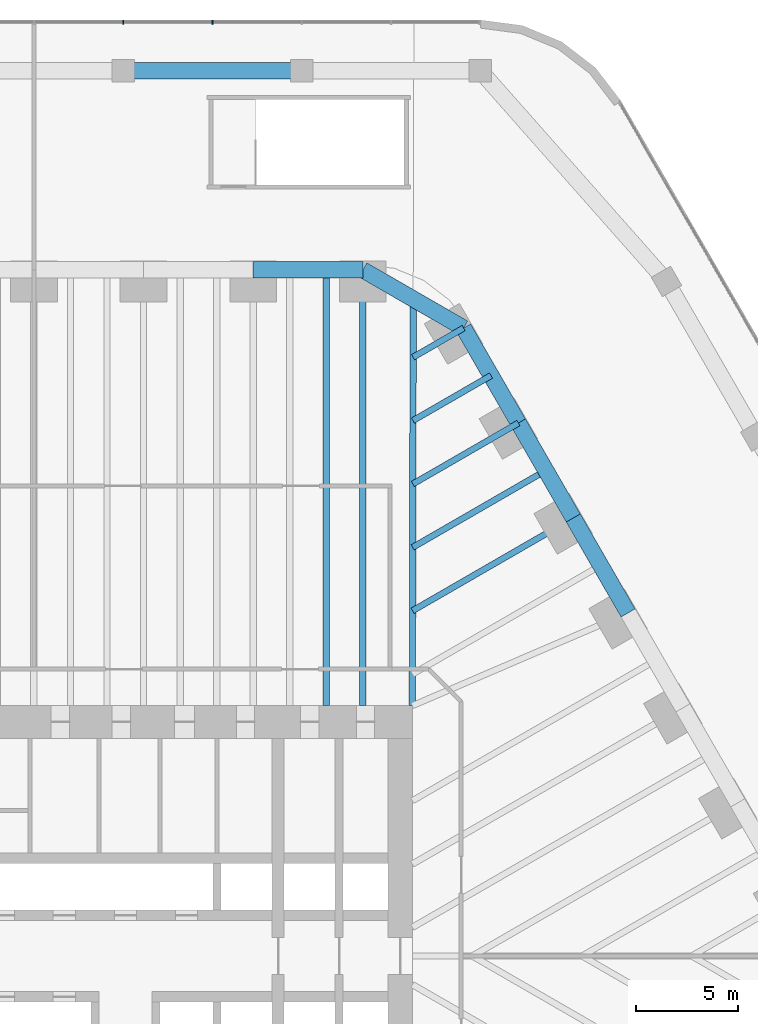
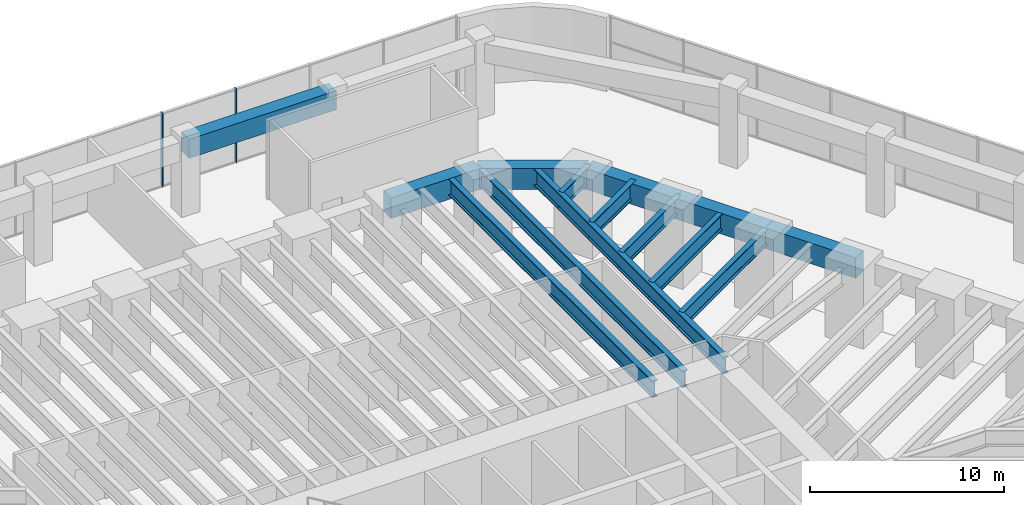
# One storey, part 20 of 31: 14 beams, 2 members, 1 element without a shape of its own.
"""IFC4 building model written with IfcOpenShell, lengths in metres."""

from ifc_helpers import new_model, si_unit, direction, frame, origin, origin_2d, place, context, subcontext, project, spatial, rectangle, i_section, extrude, material, material_profile, profile_set, type_object, element, aggregate, save


model = new_model("IFC4")

# Units and contexts
model_context = context("Model", 3, precision=1e-05, world=origin(), true_north=direction((0.0, 1.0)))
body_context = subcontext(model_context, "Body", "Model", "MODEL_VIEW")
ifc_project = project(units=[si_unit("LENGTHUNIT", "METRE"), si_unit("AREAUNIT", "SQUARE_METRE"), si_unit("VOLUMEUNIT", "CUBIC_METRE"), si_unit("PLANEANGLEUNIT", "RADIAN"), si_unit("MASSUNIT", "GRAM", prefix="KILO")], contexts=[model_context])

# Site, building, storey
site_placement = place(None, origin())
site = spatial("IfcSite", under=ifc_project, at=site_placement, CompositionType="ELEMENT")
building_placement = place(site_placement, origin())
building = spatial("IfcBuilding", under=site, at=building_placement, Name="Tarfa Lantern Tower", CompositionType="ELEMENT")
storey_placement = place(building_placement, frame((0.0, 0.0, 18.5)))
storey = spatial("IfcBuildingStorey", under=building, at=storey_placement, Name="L03", CompositionType="ELEMENT", Elevation=18.5)

# Curtain wall, members
ifc_material_1 = material(Name="Aluminium framed curtain wall", Category="aluminium")
curtain_wall_type = type_object("IfcCurtainWallType", Name="CW7 PODIUM GLAZING 4650", PredefinedType="USERDEFINED", material=ifc_material_1)
curtain_wall_placement = place(storey_placement, origin())
curtain_wall = element("IfcCurtainWall", 1, at=curtain_wall_placement, inside=storey, type_object=curtain_wall_type, Name="CW7 N L03", ObjectType="CURTAIN WALL", PredefinedType="USERDEFINED")
ifc_material_2 = material(Name="Aluminium mullion", Category="aluminium")
ifc_material_profile_1 = material_profile(ifc_material_2, rectangle(XDim=0.06494140625, YDim=0.199951171875, at=origin_2d()), Name="AL MULLION 65x200")
ifc_profile_set_1 = profile_set([ifc_material_profile_1], Name="Aluminium mullion")
member_type = type_object("IfcMemberType", Name="CWM1 MULLION 65x200", PredefinedType="MULLION", material=ifc_profile_set_1)
member_1_placement = place(storey_placement, frame((8.775634765625, 45.89990234375, 0.0), z_axis=(0.0, 0.0, 1.0), x_axis=(1.0, 0.0, 0.0)))
member_1 = element("IfcMember", 2, at=member_1_placement, type_object=member_type, Name="CW7 mullion 4", PredefinedType="MULLION", context=body_context, shape_type="SweptSolid", body=[
    extrude(rectangle(XDim=0.06494140625, YDim=0.199951171875, at=origin_2d()), origin(), (0.0, 0.0, 1.0), 4.64990234375),
])
member_2_placement = place(storey_placement, frame((4.387939453125, 45.89990234375, 0.0), z_axis=(0.0, 0.0, 1.0), x_axis=(1.0, 0.0, 0.0)))
member_2 = element("IfcMember", 3, at=member_2_placement, type_object=member_type, Name="CW7 mullion 5", PredefinedType="MULLION", context=body_context, shape_type="SweptSolid", body=[
    extrude(rectangle(XDim=0.06494140625, YDim=0.199951171875, at=origin_2d()), origin(), (0.0, 0.0, 1.0), 4.64990234375),
])
aggregate(curtain_wall, [member_1, member_2])

# Beams
ifc_material_3 = material(Name="Concrete C80/95", Category="concrete")
ifc_material_profile_2 = material_profile(ifc_material_3, rectangle(XDim=0.800048828125, YDim=1.300048828125, at=origin_2d()), Name="RC 800x1300")
ifc_profile_set_2 = profile_set([ifc_material_profile_2], Name="Concrete C80/95")
beam_type_1 = type_object("IfcBeamType", Name="EB1 RC 800x1300", PredefinedType="SPANDREL", material=ifc_profile_set_2)
beam_1_placement = place(storey_placement, frame((29.202392578125, 16.860107421875, 4.0), z_axis=(-0.500017906299, 0.866015065331, 0.0), x_axis=(-0.866015065331, -0.500017906299, 0.0)))
element("IfcBeam", 4, at=beam_1_placement, inside=storey, type_object=beam_type_1, Name="Edge beam NE3", PredefinedType="SPANDREL", context=body_context, shape_type="SweptSolid", body=[
    extrude(rectangle(XDim=0.800048828125, YDim=1.300048828125, at=origin_2d()), origin(), (0.0, 0.0, 1.0), 5.388427734375),
])
for number, where, z_axis, x_axis, name in (
    (5, (26.508056640625, 21.526611328125, 4.0), (-0.499998287579, 0.866026392449, 0.0), (-0.866026392449, -0.499998287579, 0.0), "Edge beam NE4"),
    (6, (23.813720703125, 26.193359375, 4.0), (-0.499998287579, 0.866026392449, 0.0), (-0.866026392449, -0.499998287579, 0.0), "Edge beam NE5"),
):
    element("IfcBeam", number, at=place(storey_placement, frame(where, z_axis=z_axis, x_axis=x_axis)), inside=storey, type_object=beam_type_1, Name=name, PredefinedType="SPANDREL", context=body_context, shape_type="SweptSolid", body=[
        extrude(rectangle(XDim=0.800048828125, YDim=1.300048828125, at=origin_2d()), origin(), (0.0, 0.0, 1.0), 5.388671875),
    ])
beam_2_placement = place(storey_placement, frame((21.119384765625, 30.860107421875, 4.0), z_axis=(-0.866033479681, 0.499986011877, 0.0), x_axis=(-0.499986011877, -0.866033479681, 0.0)))
element("IfcBeam", 7, at=beam_2_placement, inside=storey, type_object=beam_type_1, Name="Edge beam NE6", PredefinedType="SPANDREL", context=body_context, shape_type="SweptSolid", body=[
    extrude(rectangle(XDim=0.800048828125, YDim=1.300048828125, at=origin_2d()), origin(), (0.0, 0.0, 1.0), 5.719970703125),
])
beam_3_placement = place(storey_placement, frame((16.165771484375, 33.719970703125, 4.0), z_axis=(-1.0, 0.0, 0.0), x_axis=(0.0, -1.0, 0.0)))
element("IfcBeam", 8, at=beam_3_placement, inside=storey, type_object=beam_type_1, Name="Edge beam N0", PredefinedType="SPANDREL", context=body_context, shape_type="SweptSolid", body=[
    extrude(rectangle(XDim=0.800048828125, YDim=1.300048828125, at=origin_2d()), origin(), (0.0, 0.0, 1.0), 5.388671875),
])
ifc_material_profile_3 = material_profile(ifc_material_3, rectangle(XDim=0.800048828125, YDim=1.199951171875, at=origin_2d()), Name="RC 800x1200")
ifc_profile_set_3 = profile_set([ifc_material_profile_3], Name="Concrete C80/95")
beam_type_2 = type_object("IfcBeamType", Name="PB2 RC 800x1200", PredefinedType="BEAM", material=ifc_profile_set_3)
beam_4_placement = place(storey_placement, frame((13.16357421875, 43.5, 4.050048828125), z_axis=(-1.0, 0.0, 0.0), x_axis=(0.0, -1.0, 0.0)))
element("IfcBeam", 9, at=beam_4_placement, inside=storey, type_object=beam_type_2, Name="Podium ring beam N1", PredefinedType="BEAM", context=body_context, shape_type="SweptSolid", body=[
    extrude(rectangle(XDim=0.800048828125, YDim=1.199951171875, at=origin_2d()), origin(), (0.0, 0.0, 1.0), 8.775634765625),
])
ifc_material_4 = material(Name="Steel S460M", Category="steel")
ifc_material_profile_4 = material_profile(ifc_material_4, i_section(OverallWidth=0.302001953125, OverallDepth=1.008056640625, WebThickness=0.02099609375, FlangeThickness=0.0400390625, FilletRadius=0.030029296875, at=origin_2d()), Name="UB1016x305x349")
ifc_profile_set_4 = profile_set([ifc_material_profile_4], Name="Steel S460M")
beam_type_3 = type_object("IfcBeamType", Name="UB1016x305x349", PredefinedType="BEAM", material=ifc_profile_set_4)
beam_5_placement = place(storey_placement, frame((26.508056640625, 21.526611328125, 4.14599609375), z_axis=(-0.866035355799, -0.49998276221, 0.0), x_axis=(0.49998276221, -0.866035355799, 0.0)))
element("IfcBeam", 10, at=beam_5_placement, inside=storey, type_object=beam_type_3, Name="Floor beam NE4", PredefinedType="BEAM", context=body_context, shape_type="SweptSolid", body=[
    extrude(i_section(OverallWidth=0.302001953125, OverallDepth=1.008056640625, WebThickness=0.02099609375, FlangeThickness=0.0400390625, FilletRadius=0.030029296875, at=origin_2d()), origin(), (0.0, 0.0, 1.0), 9.119873046875),
])
beam_6_placement = place(storey_placement, frame((23.813720703125, 26.193359375, 4.14599609375), z_axis=(-0.866015997389, -0.500016292001, 0.0), x_axis=(0.500016292001, -0.866015997389, 0.0)))
element("IfcBeam", 11, at=beam_6_placement, inside=storey, type_object=beam_type_3, Name="Floor beam NE5", PredefinedType="BEAM", context=body_context, shape_type="SweptSolid", body=[
    extrude(i_section(OverallWidth=0.302001953125, OverallDepth=1.008056640625, WebThickness=0.02099609375, FlangeThickness=0.0400390625, FilletRadius=0.030029296875, at=origin_2d()), origin(), (0.0, 0.0, 1.0), 5.993408203125),
])
beam_7_placement = place(storey_placement, frame((21.119384765625, 30.860107421875, 4.14599609375), z_axis=(-0.866012580594, -0.500022209759, 0.0), x_axis=(0.500022209759, -0.866012580594, 0.0)))
element("IfcBeam", 12, at=beam_7_placement, inside=storey, type_object=beam_type_3, Name="Floor beam NE6", PredefinedType="BEAM", context=body_context, shape_type="SweptSolid", body=[
    extrude(i_section(OverallWidth=0.302001953125, OverallDepth=1.008056640625, WebThickness=0.02099609375, FlangeThickness=0.0400390625, FilletRadius=0.030029296875, at=origin_2d()), origin(), (0.0, 0.0, 1.0), 2.866943359375),
])
beam_8_placement = place(storey_placement, frame((25.160888671875, 23.860107421875, 4.14599609375), z_axis=(-0.866009650502, -0.500027284493, 0.0), x_axis=(0.500027284493, -0.866009650502, 0.0)))
element("IfcBeam", 13, at=beam_8_placement, inside=storey, type_object=beam_type_3, Name="Floor beam NE4M", PredefinedType="BEAM", context=body_context, shape_type="SweptSolid", body=[
    extrude(i_section(OverallWidth=0.302001953125, OverallDepth=1.008056640625, WebThickness=0.02099609375, FlangeThickness=0.0400390625, FilletRadius=0.030029296875, at=origin_2d()), origin(), (0.0, 0.0, 1.0), 7.556640625),
])
beam_9_placement = place(storey_placement, frame((22.466552734375, 28.526611328125, 4.14599609375), z_axis=(-0.866026823135, -0.499997541604, 0.0), x_axis=(0.499997541604, -0.866026823135, 0.0)))
element("IfcBeam", 14, at=beam_9_placement, inside=storey, type_object=beam_type_3, Name="Floor beam NE5M", PredefinedType="BEAM", context=body_context, shape_type="SweptSolid", body=[
    extrude(i_section(OverallWidth=0.302001953125, OverallDepth=1.008056640625, WebThickness=0.02099609375, FlangeThickness=0.0400390625, FilletRadius=0.030029296875, at=origin_2d()), origin(), (0.0, 0.0, 1.0), 4.43017578125),
])
ifc_material_profile_5 = material_profile(ifc_material_4, i_section(OverallWidth=0.314208984375, OverallDepth=1.055908203125, WebThickness=0.035888671875, FlangeThickness=0.06396484375, FilletRadius=0.030029296875, at=origin_2d()), Name="UB1016x305x584")
ifc_profile_set_5 = profile_set([ifc_material_profile_5], Name="Steel S460M")
beam_type_4 = type_object("IfcBeamType", Name="UB1016x305x584", PredefinedType="BEAM", material=ifc_profile_set_5)
beam_10_placement = place(storey_placement, frame((18.60009765625, 12.300048828125, 4.1220703125), z_axis=(0.00212508222, 0.99999774201, 0.0), x_axis=(-0.99999774201, 0.00212508222, 0.0)))
element("IfcBeam", 15, at=beam_10_placement, inside=storey, type_object=beam_type_4, Name="Hip girder NE", PredefinedType="BEAM", context=body_context, shape_type="SweptSolid", body=[
    extrude(i_section(OverallWidth=0.314208984375, OverallDepth=1.055908203125, WebThickness=0.035888671875, FlangeThickness=0.06396484375, FilletRadius=0.030029296875, at=origin_2d()), origin(), (0.0, 0.0, 1.0), 19.989990234375),
])
for number, where, z_axis, x_axis, name in (
    (16, (16.165771484375, 33.719970703125, 4.1220703125), (0.0, -1.0, 0.0), (1.0, 0.0, 0.0), "Floor beam N0"),
    (17, (14.36962890625, 33.719970703125, 4.1220703125), (0.0, -1.0, 0.0), (1.0, 0.0, 0.0), "Floor beam N0M1"),
):
    element("IfcBeam", number, at=place(storey_placement, frame(where, z_axis=z_axis, x_axis=x_axis)), inside=storey, type_object=beam_type_4, Name=name, PredefinedType="BEAM", context=body_context, shape_type="SweptSolid", body=[
        extrude(i_section(OverallWidth=0.314208984375, OverallDepth=1.055908203125, WebThickness=0.035888671875, FlangeThickness=0.06396484375, FilletRadius=0.030029296875, at=origin_2d()), origin(), (0.0, 0.0, 1.0), 21.419921875),
    ])

save(model, "model.ifc")
